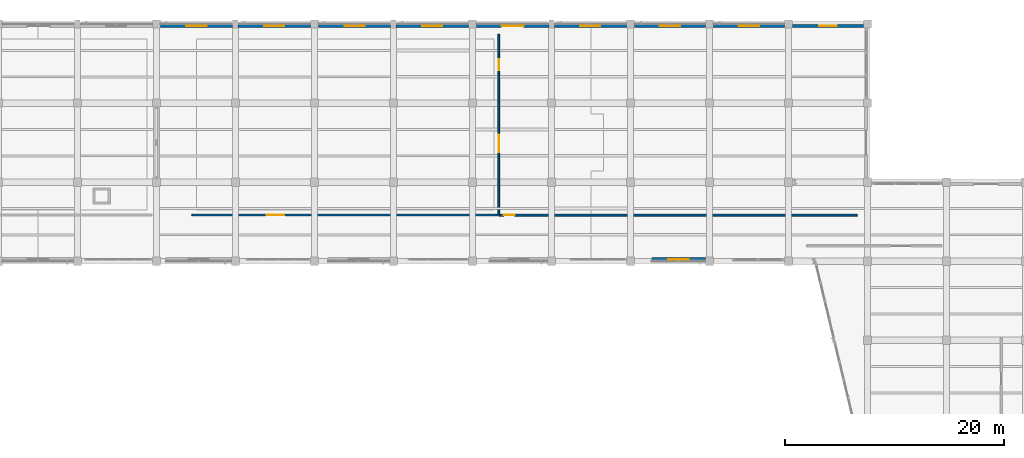
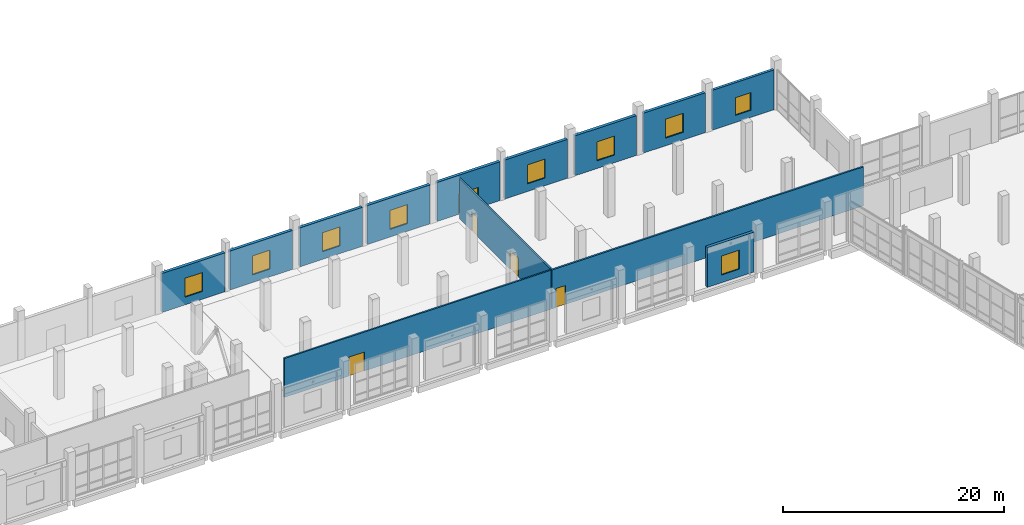
# One storey, part 110 of 137: 13 walls, 9 windows, 5 doors, 14 openings.
"""IFC4 building model written with IfcOpenShell, lengths in metres."""

from ifc_helpers import new_model, si_unit, direction, frame, frame_2d, origin, place, context, subcontext, project, spatial, rectangle, extrude, material, layer, layer_set, type_object, element, fill, save


model = new_model("IFC4")

# Units and contexts
model_context = context("Model", 3, precision=1e-05, world=origin(), true_north=direction((0.0, 1.0)))
body_context = subcontext(model_context, "Body", "Model", "MODEL_VIEW")
ifc_project = project(units=[si_unit("LENGTHUNIT", "METRE"), si_unit("AREAUNIT", "SQUARE_METRE"), si_unit("VOLUMEUNIT", "CUBIC_METRE"), si_unit("PLANEANGLEUNIT", "RADIAN"), si_unit("MASSUNIT", "GRAM", prefix="KILO")], contexts=[model_context])

# Site, building, storey
site_placement = place(None, origin())
site = spatial("IfcSite", under=ifc_project, at=site_placement, CompositionType="ELEMENT")
building_placement = place(site_placement, origin())
building = spatial("IfcBuilding", under=site, at=building_placement, Name="Kalmorath City Hall", CompositionType="ELEMENT")
storey_placement = place(building_placement, origin())
storey = spatial("IfcBuildingStorey", under=building, at=storey_placement, Name="L00", CompositionType="ELEMENT", Elevation=0.0)

# Wall, opening, door
ifc_material_1 = material(Name="High-STC double-stud acoustic partition")
ifc_layer_1 = layer(ifc_material_1, 0.1650390625)
ifc_layer_set_1 = layer_set([ifc_layer_1], Name="High-STC double-stud acoustic partition")
wall_type_1 = type_object("IfcWallType", Name="Chamber and committee acoustic partition 165", PredefinedType="PARTITIONING", material=ifc_layer_set_1)
wall_1_placement = place(storey_placement, frame((68.0400390625, 97.800048828125, 0.0), z_axis=(0.0, 0.0, 1.0), x_axis=(1.0, 0.0, 0.0)))
wall_1 = element("IfcWall", 1, at=wall_1_placement, inside=storey, type_object=wall_type_1, Name="L00 interior partition PW3 #41", PredefinedType="PARTITIONING", context=body_context, shape_type="SweptSolid", body=[
    extrude(rectangle(XDim=27.919921875, YDim=0.1650390625, at=frame_2d((13.9599609375, 0.0))), origin(), (0.0, 0.0, 1.0), 4.31103515625),
])
opening_1_placement = place(wall_1_placement, frame((6.7900390625, 0.0, 0.0)))
opening_1 = element("IfcOpeningElement", 2, at=opening_1_placement, cuts=wall_1, Name="Opening D-L00-150", PredefinedType="OPENING", context=body_context, shape_type="SweptSolid", body=[
    extrude(rectangle(XDim=1.60009765625, YDim=2.10009765625, at=frame_2d((0.800048828125, 1.050048828125))), frame((0.0, 0.092529296875, 0.0), z_axis=(0.0, -1.0, 0.0), x_axis=(1.0, 0.0, 0.0)), (0.0, 0.0, 1.0), 0.18505859375),
])
ifc_material_2 = material(Name="Acoustic hardwood fire door", Category="wood")
door_type_1 = type_object("IfcDoorType", Name="Committee double fire door 1600x2100", OperationType="DOUBLE_DOOR_SINGLE_SWING", PredefinedType="DOOR", material=ifc_material_2)
door_1_placement = place(opening_1_placement, origin())
door_1 = element("IfcDoor", 3, at=door_1_placement, inside=storey, type_object=door_type_1, Name="L00 door D-L00-150", OperationType="DOUBLE_DOOR_SINGLE_SWING", OverallHeight=2.10009765625, OverallWidth=1.60009765625, PredefinedType="DOOR", context=body_context, shape_type="SweptSolid", body=[
    extrude(rectangle(XDim=1.60009765625, YDim=2.10009765625, at=frame_2d((0.800048828125, 1.050048828125))), frame((0.0, 0.02490234375, 0.0), z_axis=(0.0, -1.0, 0.0), x_axis=(1.0, 0.0, 0.0)), (0.0, 0.0, 1.0), 0.050048828125),
])
fill(opening_1, door_1)

# Wall, openings, doors
wall_2_placement = place(storey_placement, frame((96.0, 97.840087890625, 0.0), z_axis=(0.0, 0.0, 1.0), x_axis=(0.0, 1.0, 0.0)))
wall_2 = element("IfcWall", 4, at=wall_2_placement, inside=storey, type_object=wall_type_1, Name="L00 interior partition PW3 #60", PredefinedType="PARTITIONING", context=body_context, shape_type="SweptSolid", body=[
    extrude(rectangle(XDim=16.419921875, YDim=0.1650390625, at=frame_2d((8.2099609375, 0.0))), origin(), (0.0, 0.0, 1.0), 4.449951171875),
])
opening_2_placement = place(wall_2_placement, frame((5.66259765625, 0.0, 0.0)))
opening_2 = element("IfcOpeningElement", 5, at=opening_2_placement, cuts=wall_2, Name="Opening D-L00-151", PredefinedType="OPENING", context=body_context, shape_type="SweptSolid", body=[
    extrude(rectangle(XDim=1.60009765625, YDim=2.10009765625, at=frame_2d((0.800048828125, 1.050048828125))), frame((0.0, 0.092529296875, 0.0), z_axis=(0.0, -1.0, 0.0), x_axis=(1.0, 0.0, 0.0)), (0.0, 0.0, 1.0), 0.18505859375),
])
opening_3_placement = place(wall_2_placement, frame((13.177490234375, 0.0, 0.0)))
opening_3 = element("IfcOpeningElement", 6, at=opening_3_placement, cuts=wall_2, Name="Opening D-L00-153", PredefinedType="OPENING", context=body_context, shape_type="SweptSolid", body=[
    extrude(rectangle(XDim=1.0, YDim=2.10009765625, at=frame_2d((0.5, 1.050048828125))), frame((0.0, 0.092529296875, 0.0), z_axis=(0.0, -1.0, 0.0), x_axis=(1.0, 0.0, 0.0)), (0.0, 0.0, 1.0), 0.18505859375),
])
door_2_placement = place(opening_2_placement, origin())
door_2 = element("IfcDoor", 7, at=door_2_placement, inside=storey, type_object=door_type_1, Name="L00 door D-L00-151", OperationType="DOUBLE_DOOR_SINGLE_SWING", OverallHeight=2.10009765625, OverallWidth=1.60009765625, PredefinedType="DOOR", context=body_context, shape_type="SweptSolid", body=[
    extrude(rectangle(XDim=1.60009765625, YDim=2.10009765625, at=frame_2d((0.800048828125, 1.050048828125))), frame((0.0, 0.02490234375, 0.0), z_axis=(0.0, -1.0, 0.0), x_axis=(1.0, 0.0, 0.0)), (0.0, 0.0, 1.0), 0.050048828125),
])
fill(opening_2, door_2)
ifc_material_3 = material(Name="Hardwood fire door", Category="wood")
door_type_2 = type_object("IfcDoorType", Name="Corridor 60-min fire door 1000x2100", OperationType="NOTDEFINED", PredefinedType="DOOR", material=ifc_material_3)
door_3_placement = place(opening_3_placement, origin())
door_3 = element("IfcDoor", 8, at=door_3_placement, inside=storey, type_object=door_type_2, Name="L00 door D-L00-153", OperationType="SINGLE_SWING_LEFT", OverallHeight=2.10009765625, OverallWidth=1.0, PredefinedType="DOOR", context=body_context, shape_type="SweptSolid", body=[
    extrude(rectangle(XDim=1.0, YDim=2.10009765625, at=frame_2d((0.5, 1.050048828125))), frame((0.0, 0.02490234375, 0.0), z_axis=(0.0, -1.0, 0.0), x_axis=(1.0, 0.0, 0.0)), (0.0, 0.0, 1.0), 0.050048828125),
])
fill(opening_3, door_3)

# Wall, opening, window
ifc_material_4 = material(Name="Precast concrete C40/50", Category="concrete")
ifc_layer_2 = layer(ifc_material_4, 0.27001953125)
ifc_layer_set_2 = layer_set([ifc_layer_2], Name="Precast concrete C40/50")
wall_type_2 = type_object("IfcWallType", Name="Library splayed facade wall 270", PredefinedType="SOLIDWALL", material=ifc_layer_set_2)
wall_3_placement = place(storey_placement, frame((122.77587890625, 115.0400390625, 0.0), z_axis=(0.0, 0.0, 1.0), x_axis=(1.0, 0.0, 0.0)))
wall_3 = element("IfcWall", 9, at=wall_3_placement, inside=storey, type_object=wall_type_2, Name="L00 library wall #88", PredefinedType="SOLIDWALL", context=body_context, shape_type="SweptSolid", body=[
    extrude(rectangle(XDim=6.4482421875, YDim=0.27001953125, at=frame_2d((3.22412109375, 0.0))), origin(), (0.0, 0.0, 1.0), 4.410888671875),
])
opening_4_placement = place(wall_3_placement, frame((2.424072265625, 0.0, 0.800048828125)))
opening_4 = element("IfcOpeningElement", 10, at=opening_4_placement, cuts=wall_3, Name="Opening WN15", PredefinedType="OPENING", context=body_context, shape_type="SweptSolid", body=[
    extrude(rectangle(XDim=1.60009765625, YDim=1.949951171875, at=frame_2d((0.800048828125, 0.97509765625))), frame((0.0, 0.14501953125, 0.0), z_axis=(0.0, -1.0, 0.0), x_axis=(1.0, 0.0, 0.0)), (0.0, 0.0, 1.0), 0.2900390625),
])
ifc_material_5 = material(Name="Bronze-anodised aluminium and glass", Category="aluminium")
window_type_1 = type_object("IfcWindowType", Name="Library stacks window 1600x1950", PartitioningType="SINGLE_PANEL", PredefinedType="WINDOW", material=ifc_material_5)
window_1_placement = place(opening_4_placement, origin())
window_1 = element("IfcWindow", 11, at=window_1_placement, inside=storey, type_object=window_type_1, Name="L00 window WN15-42", OverallHeight=1.949951171875, OverallWidth=1.60009765625, PartitioningType="SINGLE_PANEL", PredefinedType="WINDOW", context=body_context, shape_type="SweptSolid", body=[
    extrude(rectangle(XDim=1.60009765625, YDim=1.949951171875, at=frame_2d((0.800048828125, 0.97509765625))), frame((0.0, 0.030029296875, 0.0), z_axis=(0.0, -1.0, 0.0), x_axis=(1.0, 0.0, 0.0)), (0.0, 0.0, 1.0), 0.06005859375),
])
fill(opening_4, window_1)

# Wall, opening, door
ifc_material_6 = material(Name="Fire-rated acoustic gypsum partition")
ifc_layer_3 = layer(ifc_material_6, 0.179931640625)
ifc_layer_set_3 = layer_set([ifc_layer_3], Name="Fire-rated acoustic gypsum partition")
wall_type_3 = type_object("IfcWallType", Name="One-hour corridor fire partition 180", PredefinedType="PARTITIONING", material=ifc_layer_set_3)
wall_4_placement = place(storey_placement, frame((96.0400390625, 97.800048828125, 0.0), z_axis=(0.0, 0.0, 1.0), x_axis=(1.0, 0.0, 0.0)))
wall_4 = element("IfcWall", 12, at=wall_4_placement, inside=storey, type_object=wall_type_3, Name="L00 interior partition PW2 #42", PredefinedType="PARTITIONING", context=body_context, shape_type="SweptSolid", body=[
    extrude(rectangle(XDim=32.619873046875, YDim=0.179931640625, at=frame_2d((16.31005859375, 0.0))), origin(), (0.0, 0.0, 1.0), 4.31103515625),
])
opening_5_placement = place(wall_4_placement, frame((0.419921875, 0.0, 0.0)))
opening_5 = element("IfcOpeningElement", 13, at=opening_5_placement, cuts=wall_4, Name="Opening D-L00-152", PredefinedType="OPENING", context=body_context, shape_type="SweptSolid", body=[
    extrude(rectangle(XDim=1.0, YDim=2.10009765625, at=frame_2d((0.5, 1.050048828125))), frame((0.0, 0.099853515625, 0.0), z_axis=(0.0, -1.0, 0.0), x_axis=(1.0, 0.0, 0.0)), (0.0, 0.0, 1.0), 0.199951171875),
])
door_4_placement = place(opening_5_placement, origin())
door_4 = element("IfcDoor", 14, at=door_4_placement, inside=storey, type_object=door_type_2, Name="L00 door D-L00-152", OperationType="SINGLE_SWING_RIGHT", OverallHeight=2.10009765625, OverallWidth=1.0, PredefinedType="DOOR", context=body_context, shape_type="SweptSolid", body=[
    extrude(rectangle(XDim=1.0, YDim=2.10009765625, at=frame_2d((0.5, 1.050048828125))), frame((0.0, 0.02490234375, 0.0), z_axis=(0.0, -1.0, 0.0), x_axis=(1.0, 0.0, 0.0)), (0.0, 0.0, 1.0), 0.050048828125),
])
fill(opening_5, door_4)

# Wall, opening, window
ifc_material_7 = material(Name="Concrete C40/50", Category="concrete")
ifc_layer_4 = layer(ifc_material_7, 0.300048828125)
ifc_layer_set_4 = layer_set([ifc_layer_4], Name="Concrete C40/50")
wall_type_4 = type_object("IfcWallType", Name="Volcanic basalt backup wall 300", PredefinedType="SOLIDWALL", material=ifc_layer_set_4)
wall_5_placement = place(storey_placement, frame((65.176025390625, 115.0400390625, 0.0), z_axis=(0.0, 0.0, 1.0), x_axis=(1.0, 0.0, 0.0)))
wall_5 = element("IfcWall", 15, at=wall_5_placement, inside=storey, type_object=wall_type_4, Name="L00 basalt wing wall #80", PredefinedType="SOLIDWALL", context=body_context, shape_type="SweptSolid", body=[
    extrude(rectangle(XDim=6.572998046875, YDim=0.300048828125, at=frame_2d((3.28662109375, 0.0))), origin(), (0.0, 0.0, 1.0), 4.31103515625),
])
opening_6_placement = place(wall_5_placement, frame((2.361572265625, 0.0, 0.85009765625)))
opening_6 = element("IfcOpeningElement", 16, at=opening_6_placement, cuts=wall_5, Name="Opening WN8", PredefinedType="OPENING", context=body_context, shape_type="SweptSolid", body=[
    extrude(rectangle(XDim=1.85009765625, YDim=2.10009765625, at=frame_2d((0.925048828125, 1.050048828125))), frame((0.0, 0.159912109375, 0.0), z_axis=(0.0, -1.0, 0.0), x_axis=(1.0, 0.0, 0.0)), (0.0, 0.0, 1.0), 0.320068359375),
])
ifc_material_8 = material(Name="Bronze-anodised aluminium and glass", Category="aluminium")
window_type_2 = type_object("IfcWindowType", Name="Basalt deep-reveal window 1850x2100", PartitioningType="SINGLE_PANEL", PredefinedType="WINDOW", material=ifc_material_8)
window_2_placement = place(opening_6_placement, origin())
window_2 = element("IfcWindow", 17, at=window_2_placement, inside=storey, type_object=window_type_2, Name="L00 window WN8-35", OverallHeight=2.10009765625, OverallWidth=1.85009765625, PartitioningType="SINGLE_PANEL", PredefinedType="WINDOW", context=body_context, shape_type="SweptSolid", body=[
    extrude(rectangle(XDim=1.85009765625, YDim=2.10009765625, at=frame_2d((0.925048828125, 1.050048828125))), frame((0.0, 0.030029296875, 0.0), z_axis=(0.0, -1.0, 0.0), x_axis=(1.0, 0.0, 0.0)), (0.0, 0.0, 1.0), 0.06005859375),
])
fill(opening_6, window_2)

wall_6_placement = place(storey_placement, frame((72.2509765625, 115.0400390625, 0.0), z_axis=(0.0, 0.0, 1.0), x_axis=(1.0, 0.0, 0.0)))
wall_6 = element("IfcWall", 18, at=wall_6_placement, inside=storey, type_object=wall_type_4, Name="L00 basalt wing wall #81", PredefinedType="SOLIDWALL", context=body_context, shape_type="SweptSolid", body=[
    extrude(rectangle(XDim=6.572998046875, YDim=0.300048828125, at=frame_2d((3.28662109375, 0.0))), origin(), (0.0, 0.0, 1.0), 4.31103515625),
])
opening_7_placement = place(wall_6_placement, frame((2.361572265625, 0.0, 0.85009765625)))
opening_7 = element("IfcOpeningElement", 19, at=opening_7_placement, cuts=wall_6, Name="Opening WN8", PredefinedType="OPENING", context=body_context, shape_type="SweptSolid", body=[
    extrude(rectangle(XDim=1.85009765625, YDim=2.10009765625, at=frame_2d((0.925048828125, 1.050048828125))), frame((0.0, 0.159912109375, 0.0), z_axis=(0.0, -1.0, 0.0), x_axis=(1.0, 0.0, 0.0)), (0.0, 0.0, 1.0), 0.320068359375),
])
window_3_placement = place(opening_7_placement, origin())
window_3 = element("IfcWindow", 20, at=window_3_placement, inside=storey, type_object=window_type_2, Name="L00 window WN8-36", OverallHeight=2.10009765625, OverallWidth=1.85009765625, PartitioningType="SINGLE_PANEL", PredefinedType="WINDOW", context=body_context, shape_type="SweptSolid", body=[
    extrude(rectangle(XDim=1.85009765625, YDim=2.10009765625, at=frame_2d((0.925048828125, 1.050048828125))), frame((0.0, 0.030029296875, 0.0), z_axis=(0.0, -1.0, 0.0), x_axis=(1.0, 0.0, 0.0)), (0.0, 0.0, 1.0), 0.06005859375),
])
fill(opening_7, window_3)

wall_7_placement = place(storey_placement, frame((79.575927734375, 115.0400390625, 0.0), z_axis=(0.0, 0.0, 1.0), x_axis=(1.0, 0.0, 0.0)))
wall_7 = element("IfcWall", 21, at=wall_7_placement, inside=storey, type_object=wall_type_4, Name="L00 basalt wing wall #82", PredefinedType="SOLIDWALL", context=body_context, shape_type="SweptSolid", body=[
    extrude(rectangle(XDim=6.572998046875, YDim=0.300048828125, at=frame_2d((3.28662109375, 0.0))), origin(), (0.0, 0.0, 1.0), 4.31103515625),
])
opening_8_placement = place(wall_7_placement, frame((2.361572265625, 0.0, 0.85009765625)))
opening_8 = element("IfcOpeningElement", 22, at=opening_8_placement, cuts=wall_7, Name="Opening WN8", PredefinedType="OPENING", context=body_context, shape_type="SweptSolid", body=[
    extrude(rectangle(XDim=1.85009765625, YDim=2.10009765625, at=frame_2d((0.925048828125, 1.050048828125))), frame((0.0, 0.159912109375, 0.0), z_axis=(0.0, -1.0, 0.0), x_axis=(1.0, 0.0, 0.0)), (0.0, 0.0, 1.0), 0.320068359375),
])
window_4_placement = place(opening_8_placement, origin())
window_4 = element("IfcWindow", 23, at=window_4_placement, inside=storey, type_object=window_type_2, Name="L00 window WN8-37", OverallHeight=2.10009765625, OverallWidth=1.85009765625, PartitioningType="SINGLE_PANEL", PredefinedType="WINDOW", context=body_context, shape_type="SweptSolid", body=[
    extrude(rectangle(XDim=1.85009765625, YDim=2.10009765625, at=frame_2d((0.925048828125, 1.050048828125))), frame((0.0, 0.030029296875, 0.0), z_axis=(0.0, -1.0, 0.0), x_axis=(1.0, 0.0, 0.0)), (0.0, 0.0, 1.0), 0.06005859375),
])
fill(opening_8, window_4)

wall_8_placement = place(storey_placement, frame((86.65087890625, 115.0400390625, 0.0), z_axis=(0.0, 0.0, 1.0), x_axis=(1.0, 0.0, 0.0)))
wall_8 = element("IfcWall", 24, at=wall_8_placement, inside=storey, type_object=wall_type_4, Name="L00 basalt wing wall #83", PredefinedType="SOLIDWALL", context=body_context, shape_type="SweptSolid", body=[
    extrude(rectangle(XDim=6.5732421875, YDim=0.300048828125, at=frame_2d((3.28662109375, 0.0))), origin(), (0.0, 0.0, 1.0), 4.31103515625),
])
opening_9_placement = place(wall_8_placement, frame((2.361572265625, 0.0, 0.85009765625)))
opening_9 = element("IfcOpeningElement", 25, at=opening_9_placement, cuts=wall_8, Name="Opening WN8", PredefinedType="OPENING", context=body_context, shape_type="SweptSolid", body=[
    extrude(rectangle(XDim=1.85009765625, YDim=2.10009765625, at=frame_2d((0.925048828125, 1.050048828125))), frame((0.0, 0.159912109375, 0.0), z_axis=(0.0, -1.0, 0.0), x_axis=(1.0, 0.0, 0.0)), (0.0, 0.0, 1.0), 0.320068359375),
])
window_5_placement = place(opening_9_placement, origin())
window_5 = element("IfcWindow", 26, at=window_5_placement, inside=storey, type_object=window_type_2, Name="L00 window WN8-38", OverallHeight=2.10009765625, OverallWidth=1.85009765625, PartitioningType="SINGLE_PANEL", PredefinedType="WINDOW", context=body_context, shape_type="SweptSolid", body=[
    extrude(rectangle(XDim=1.85009765625, YDim=2.10009765625, at=frame_2d((0.925048828125, 1.050048828125))), frame((0.0, 0.030029296875, 0.0), z_axis=(0.0, -1.0, 0.0), x_axis=(1.0, 0.0, 0.0)), (0.0, 0.0, 1.0), 0.06005859375),
])
fill(opening_9, window_5)

# Wall, opening, door
wall_9_placement = place(storey_placement, frame((93.97607421875, 115.0400390625, 0.0), z_axis=(0.0, 0.0, 1.0), x_axis=(1.0, 0.0, 0.0)))
wall_9 = element("IfcWall", 27, at=wall_9_placement, inside=storey, type_object=wall_type_4, Name="L00 basalt wing wall #84", PredefinedType="SOLIDWALL", context=body_context, shape_type="SweptSolid", body=[
    extrude(rectangle(XDim=6.572998046875, YDim=0.300048828125, at=frame_2d((3.28662109375, 0.0))), origin(), (0.0, 0.0, 1.0), 4.31103515625),
])
opening_10_placement = place(wall_9_placement, frame((2.28662109375, 0.0, 0.0)))
opening_10 = element("IfcOpeningElement", 28, at=opening_10_placement, cuts=wall_9, Name="Opening D-E008", PredefinedType="OPENING", context=body_context, shape_type="SweptSolid", body=[
    extrude(rectangle(XDim=2.0, YDim=2.25, at=frame_2d((1.0, 1.125))), frame((0.0, 0.159912109375, 0.0), z_axis=(0.0, -1.0, 0.0), x_axis=(1.0, 0.0, 0.0)), (0.0, 0.0, 1.0), 0.320068359375),
])
ifc_material_9 = material(Name="Galvanised steel and impact glass", Category="steel")
door_type_3 = type_object("IfcDoorType", Name="Hurricane exit discharge double door 2000x2250", OperationType="DOUBLE_DOOR_SINGLE_SWING", PredefinedType="DOOR", material=ifc_material_9)
door_5_placement = place(opening_10_placement, origin())
door_5 = element("IfcDoor", 29, at=door_5_placement, inside=storey, type_object=door_type_3, Name="L00 exterior door D-E008", OperationType="DOUBLE_DOOR_SINGLE_SWING", OverallHeight=2.25, OverallWidth=2.0, PredefinedType="DOOR", context=body_context, shape_type="SweptSolid", body=[
    extrude(rectangle(XDim=2.0, YDim=2.25, at=frame_2d((1.0, 1.125))), frame((0.0, 0.02490234375, 0.0), z_axis=(0.0, -1.0, 0.0), x_axis=(1.0, 0.0, 0.0)), (0.0, 0.0, 1.0), 0.050048828125),
])
fill(opening_10, door_5)

# Wall, opening, window
wall_10_placement = place(storey_placement, frame((101.051025390625, 115.0400390625, 0.0), z_axis=(0.0, 0.0, 1.0), x_axis=(1.0, 0.0, 0.0)))
wall_10 = element("IfcWall", 30, at=wall_10_placement, inside=storey, type_object=wall_type_4, Name="L00 basalt wing wall #85", PredefinedType="SOLIDWALL", context=body_context, shape_type="SweptSolid", body=[
    extrude(rectangle(XDim=6.572998046875, YDim=0.300048828125, at=frame_2d((3.28662109375, 0.0))), origin(), (0.0, 0.0, 1.0), 4.31103515625),
])
opening_11_placement = place(wall_10_placement, frame((2.361572265625, 0.0, 0.85009765625)))
opening_11 = element("IfcOpeningElement", 31, at=opening_11_placement, cuts=wall_10, Name="Opening WN8", PredefinedType="OPENING", context=body_context, shape_type="SweptSolid", body=[
    extrude(rectangle(XDim=1.85009765625, YDim=2.10009765625, at=frame_2d((0.925048828125, 1.050048828125))), frame((0.0, 0.159912109375, 0.0), z_axis=(0.0, -1.0, 0.0), x_axis=(1.0, 0.0, 0.0)), (0.0, 0.0, 1.0), 0.320068359375),
])
window_6_placement = place(opening_11_placement, origin())
window_6 = element("IfcWindow", 32, at=window_6_placement, inside=storey, type_object=window_type_2, Name="L00 window WN8-39", OverallHeight=2.10009765625, OverallWidth=1.85009765625, PartitioningType="SINGLE_PANEL", PredefinedType="WINDOW", context=body_context, shape_type="SweptSolid", body=[
    extrude(rectangle(XDim=1.85009765625, YDim=2.10009765625, at=frame_2d((0.925048828125, 1.050048828125))), frame((0.0, 0.030029296875, 0.0), z_axis=(0.0, -1.0, 0.0), x_axis=(1.0, 0.0, 0.0)), (0.0, 0.0, 1.0), 0.06005859375),
])
fill(opening_11, window_6)

wall_11_placement = place(storey_placement, frame((108.3759765625, 115.0400390625, 0.0), z_axis=(0.0, 0.0, 1.0), x_axis=(1.0, 0.0, 0.0)))
wall_11 = element("IfcWall", 33, at=wall_11_placement, inside=storey, type_object=wall_type_4, Name="L00 basalt wing wall #86", PredefinedType="SOLIDWALL", context=body_context, shape_type="SweptSolid", body=[
    extrude(rectangle(XDim=6.447998046875, YDim=0.300048828125, at=frame_2d((3.22412109375, 0.0))), origin(), (0.0, 0.0, 1.0), 4.410888671875),
])
opening_12_placement = place(wall_11_placement, frame((2.299072265625, 0.0, 0.85009765625)))
opening_12 = element("IfcOpeningElement", 34, at=opening_12_placement, cuts=wall_11, Name="Opening WN8", PredefinedType="OPENING", context=body_context, shape_type="SweptSolid", body=[
    extrude(rectangle(XDim=1.85009765625, YDim=2.10009765625, at=frame_2d((0.925048828125, 1.050048828125))), frame((0.0, 0.159912109375, 0.0), z_axis=(0.0, -1.0, 0.0), x_axis=(1.0, 0.0, 0.0)), (0.0, 0.0, 1.0), 0.320068359375),
])
window_7_placement = place(opening_12_placement, origin())
window_7 = element("IfcWindow", 35, at=window_7_placement, inside=storey, type_object=window_type_2, Name="L00 window WN8-40", OverallHeight=2.10009765625, OverallWidth=1.85009765625, PartitioningType="SINGLE_PANEL", PredefinedType="WINDOW", context=body_context, shape_type="SweptSolid", body=[
    extrude(rectangle(XDim=1.85009765625, YDim=2.10009765625, at=frame_2d((0.925048828125, 1.050048828125))), frame((0.0, 0.030029296875, 0.0), z_axis=(0.0, -1.0, 0.0), x_axis=(1.0, 0.0, 0.0)), (0.0, 0.0, 1.0), 0.06005859375),
])
fill(opening_12, window_7)

wall_12_placement = place(storey_placement, frame((115.575927734375, 115.0400390625, 0.0), z_axis=(0.0, 0.0, 1.0), x_axis=(1.0, 0.0, 0.0)))
wall_12 = element("IfcWall", 36, at=wall_12_placement, inside=storey, type_object=wall_type_4, Name="L00 basalt wing wall #87", PredefinedType="SOLIDWALL", context=body_context, shape_type="SweptSolid", body=[
    extrude(rectangle(XDim=6.447998046875, YDim=0.300048828125, at=frame_2d((3.22412109375, 0.0))), origin(), (0.0, 0.0, 1.0), 4.410888671875),
])
opening_13_placement = place(wall_12_placement, frame((2.299072265625, 0.0, 0.85009765625)))
opening_13 = element("IfcOpeningElement", 37, at=opening_13_placement, cuts=wall_12, Name="Opening WN8", PredefinedType="OPENING", context=body_context, shape_type="SweptSolid", body=[
    extrude(rectangle(XDim=1.85009765625, YDim=2.10009765625, at=frame_2d((0.925048828125, 1.050048828125))), frame((0.0, 0.159912109375, 0.0), z_axis=(0.0, -1.0, 0.0), x_axis=(1.0, 0.0, 0.0)), (0.0, 0.0, 1.0), 0.320068359375),
])
window_8_placement = place(opening_13_placement, origin())
window_8 = element("IfcWindow", 38, at=window_8_placement, inside=storey, type_object=window_type_2, Name="L00 window WN8-41", OverallHeight=2.10009765625, OverallWidth=1.85009765625, PartitioningType="SINGLE_PANEL", PredefinedType="WINDOW", context=body_context, shape_type="SweptSolid", body=[
    extrude(rectangle(XDim=1.85009765625, YDim=2.10009765625, at=frame_2d((0.925048828125, 1.050048828125))), frame((0.0, 0.030029296875, 0.0), z_axis=(0.0, -1.0, 0.0), x_axis=(1.0, 0.0, 0.0)), (0.0, 0.0, 1.0), 0.06005859375),
])
fill(opening_13, window_8)

wall_13_placement = place(storey_placement, frame((114.823974609375, 93.760009765625, 0.0), z_axis=(0.0, 0.0, 1.0), x_axis=(-1.0, 0.0, 0.0)))
wall_13 = element("IfcWall", 39, at=wall_13_placement, inside=storey, type_object=wall_type_4, Name="L00 basalt wing wall #136", PredefinedType="SOLIDWALL", context=body_context, shape_type="SweptSolid", body=[
    extrude(rectangle(XDim=4.878173828125, YDim=0.300048828125, at=frame_2d((2.43896484375, 0.0))), origin(), (0.0, 0.0, 1.0), 4.410888671875),
])
opening_14_placement = place(wall_13_placement, frame((1.51416015625, 0.0, 0.85009765625)))
opening_14 = element("IfcOpeningElement", 40, at=opening_14_placement, cuts=wall_13, Name="Opening WN8", PredefinedType="OPENING", context=body_context, shape_type="SweptSolid", body=[
    extrude(rectangle(XDim=1.85009765625, YDim=2.10009765625, at=frame_2d((0.925048828125, 1.050048828125))), frame((0.0, 0.159912109375, 0.0), z_axis=(0.0, -1.0, 0.0), x_axis=(1.0, 0.0, 0.0)), (0.0, 0.0, 1.0), 0.320068359375),
])
window_9_placement = place(opening_14_placement, origin())
window_9 = element("IfcWindow", 41, at=window_9_placement, inside=storey, type_object=window_type_2, Name="L00 window WN8-61", OverallHeight=2.10009765625, OverallWidth=1.85009765625, PartitioningType="SINGLE_PANEL", PredefinedType="WINDOW", context=body_context, shape_type="SweptSolid", body=[
    extrude(rectangle(XDim=1.85009765625, YDim=2.10009765625, at=frame_2d((0.925048828125, 1.050048828125))), frame((0.0, 0.030029296875, 0.0), z_axis=(0.0, -1.0, 0.0), x_axis=(1.0, 0.0, 0.0)), (0.0, 0.0, 1.0), 0.06005859375),
])
fill(opening_14, window_9)

save(model, "model.ifc")
